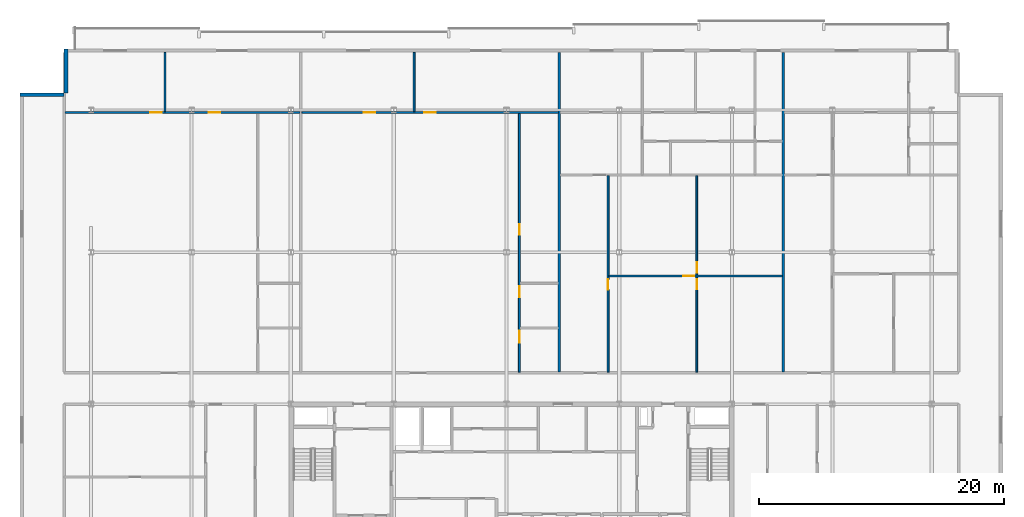
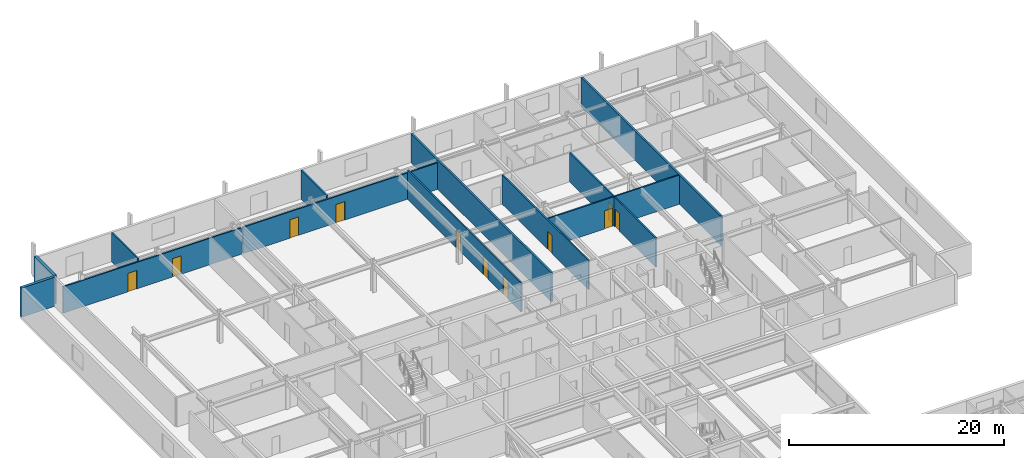
# One storey, part 27 of 36: 12 walls, 11 doors, 11 openings.
"""IFC4 building model written with IfcOpenShell, lengths in metres."""

from ifc_helpers import new_model, si_unit, direction, frame, frame_2d, origin, place, context, subcontext, project, spatial, rectangle, extrude, material, layer, layer_set, type_object, element, fill, save


model = new_model("IFC4")

# Units and contexts
model_context = context("Model", 3, precision=1e-05, world=origin(), true_north=direction((0.0, 1.0)))
body_context = subcontext(model_context, "Body", "Model", "MODEL_VIEW")
ifc_project = project(units=[si_unit("LENGTHUNIT", "METRE"), si_unit("AREAUNIT", "SQUARE_METRE"), si_unit("VOLUMEUNIT", "CUBIC_METRE"), si_unit("PLANEANGLEUNIT", "RADIAN"), si_unit("MASSUNIT", "GRAM", prefix="KILO")], contexts=[model_context])

# Site, building, storey
site_placement = place(None, origin())
site = spatial("IfcSite", under=ifc_project, at=site_placement, CompositionType="ELEMENT")
building_placement = place(site_placement, origin())
building = spatial("IfcBuilding", under=site, at=building_placement, Name="Korimba Cascade Residences", CompositionType="ELEMENT")
storey_placement = place(building_placement, frame((0.0, 0.0, 142.89990234375)))
storey = spatial("IfcBuildingStorey", under=building, at=storey_placement, Name="L41", CompositionType="ELEMENT", Elevation=142.89990234375)

# Walls
ifc_material_1 = material(Name="Precast concrete C40/50", Category="concrete")
ifc_layer_1 = layer(ifc_material_1, 0.300048828125)
ifc_layer_set_1 = layer_set([ifc_layer_1], Name="Precast concrete C40/50")
wall_type_1 = type_object("IfcWallType", Name="EW-STONE-300", PredefinedType="STANDARD", material=ifc_layer_set_1)
wall_1_placement = place(storey_placement, frame((57.75, 96.199951171875, 0.0), z_axis=(0.0, 0.0, 1.0), x_axis=(0.0, -1.0, 0.0)))
element("IfcWall", 1, at=wall_1_placement, inside=storey, type_object=wall_type_1, Name="L41 T1 Perimeter Stone Wall E07", PredefinedType="STANDARD", context=body_context, shape_type="SweptSolid", body=[
    extrude(rectangle(XDim=3.599853515625, YDim=0.300048828125, at=frame_2d((1.7998046875, 0.0))), origin(), (0.0, 0.0, 1.0), 3.31005859375),
])
wall_2_placement = place(storey_placement, frame((57.60009765625, 92.449951171875, 0.0), z_axis=(0.0, 0.0, 1.0), x_axis=(-1.0, 0.0, 0.0)))
element("IfcWall", 2, at=wall_2_placement, inside=storey, type_object=wall_type_1, Name="L41 T1 Perimeter Stone Wall E08", PredefinedType="STANDARD", context=body_context, shape_type="SweptSolid", body=[
    extrude(rectangle(XDim=3.60009765625, YDim=0.300048828125, at=frame_2d((1.800048828125, 0.0))), origin(), (0.0, 0.0, 1.0), 3.31005859375),
])
ifc_layer_2 = layer(ifc_material_1, 0.199951171875)
ifc_layer_set_2 = layer_set([ifc_layer_2], Name="Precast concrete C40/50")
wall_type_2 = type_object("IfcWallType", Name="WAL-IT-200", PredefinedType="PARTITIONING", material=ifc_layer_set_2)
for number, where, z_axis, x_axis, name in (
    (3, (98.021484375, 69.830078125, 0.0), (0.0, 0.0, 1.0), (0.0, 1.0, 0.0), "L41 Partition Wall WAL-L41-T1-DEM-2"),
    (4, (116.292724609375, 69.830078125, 0.0), (0.0, 0.0, 1.0), (0.0, 1.0, 0.0), "L41 Partition Wall WAL-L41-T1-DEM-3"),
):
    element("IfcWall", number, at=place(storey_placement, frame(where, z_axis=z_axis, x_axis=x_axis)), inside=storey, type_object=wall_type_2, Name=name, PredefinedType="PARTITIONING", context=body_context, shape_type="SweptSolid", body=[
        extrude(rectangle(XDim=26.06982421875, YDim=0.199951171875, at=frame_2d((13.034912109375, 0.0))), origin(), (0.0, 0.0, 1.0), 3.31005859375),
    ])
ifc_material_2 = material(Name="Insulated Acoustic Stud Partition", Category="gypsum")
ifc_layer_3 = layer(ifc_material_2, 0.14990234375)
ifc_layer_set_3 = layer_set([ifc_layer_3], Name="Insulated Acoustic Stud Partition")
wall_type_3 = type_object("IfcWallType", Name="WAL-PART-150", PredefinedType="PARTITIONING", material=ifc_layer_set_3)
wall_3_placement = place(storey_placement, frame((65.837158203125, 91.080078125, 0.0), z_axis=(0.0, 0.0, 1.0), x_axis=(0.0, 1.0, 0.0)))
element("IfcWall", 5, at=wall_3_placement, inside=storey, type_object=wall_type_3, Name="L41 Partition Wall WAL-L41-T1-U01-OUTV", PredefinedType="PARTITIONING", context=body_context, shape_type="SweptSolid", body=[
    extrude(rectangle(XDim=4.81982421875, YDim=0.14990234375, at=frame_2d((2.409912109375, 0.0))), origin(), (0.0, 0.0, 1.0), 3.31005859375),
])

# Wall, openings, doors
wall_4_placement = place(storey_placement, frame((57.679931640625, 91.0, 0.0), z_axis=(0.0, 0.0, 1.0), x_axis=(1.0, 0.0, 0.0)))
wall_4 = element("IfcWall", 6, at=wall_4_placement, inside=storey, type_object=wall_type_3, Name="L41 Partition Wall WAL-L41-T1-U01-HZ", PredefinedType="PARTITIONING", context=body_context, shape_type="SweptSolid", body=[
    extrude(rectangle(XDim=19.154296875, YDim=0.14990234375, at=frame_2d((9.5771484375, 0.0))), origin(), (0.0, 0.0, 1.0), 3.00341796875),
])
opening_1_placement = place(wall_4_placement, frame((6.967041015625, 0.0, 0.0)))
opening_1 = element("IfcOpeningElement", 7, at=opening_1_placement, cuts=wall_4, Name="Opening D-IN0", PredefinedType="OPENING", context=body_context, shape_type="SweptSolid", body=[
    extrude(rectangle(XDim=0.93994140625, YDim=2.10009765625, at=frame_2d((0.469970703125, 1.050048828125))), frame((0.0, 0.0849609375, 0.0), z_axis=(0.0, -1.0, 0.0), x_axis=(1.0, 0.0, 0.0)), (0.0, 0.0, 1.0), 0.169921875),
])
opening_2_placement = place(wall_4_placement, frame((11.72119140625, 0.0, 0.0)))
opening_2 = element("IfcOpeningElement", 8, at=opening_2_placement, cuts=wall_4, Name="Opening D-IN0", PredefinedType="OPENING", context=body_context, shape_type="SweptSolid", body=[
    extrude(rectangle(XDim=0.93994140625, YDim=2.10009765625, at=frame_2d((0.469970703125, 1.050048828125))), frame((0.0, 0.0849609375, 0.0), z_axis=(0.0, -1.0, 0.0), x_axis=(1.0, 0.0, 0.0)), (0.0, 0.0, 1.0), 0.169921875),
])
ifc_material_3 = material(Name="Acoustic Timber Living Archway Door", Category="wood")
door_type_1 = type_object("IfcDoorType", Name="DR-INT-950", OperationType="NOTDEFINED", PredefinedType="DOOR", material=ifc_material_3)
door_1_placement = place(opening_1_placement, origin())
door_1 = element("IfcDoor", 9, at=door_1_placement, inside=storey, type_object=door_type_1, Name="L41-T1-U01 Resident Boardroom Door", OperationType="SINGLE_SWING_RIGHT", OverallHeight=2.10009765625, OverallWidth=0.93994140625, PredefinedType="DOOR", context=body_context, shape_type="SweptSolid", body=[
    extrude(rectangle(XDim=0.93994140625, YDim=2.10009765625, at=frame_2d((0.469970703125, 1.050048828125))), frame((0.0, 0.02490234375, 0.0), z_axis=(0.0, -1.0, 0.0), x_axis=(1.0, 0.0, 0.0)), (0.0, 0.0, 1.0), 0.050048828125),
])
fill(opening_1, door_1)
door_2_placement = place(opening_2_placement, origin())
door_2 = element("IfcDoor", 10, at=door_2_placement, inside=storey, type_object=door_type_1, Name="L41-T1-U01 Executive Seminar Room Door", OperationType="SINGLE_SWING_LEFT", OverallHeight=2.10009765625, OverallWidth=0.93994140625, PredefinedType="DOOR", context=body_context, shape_type="SweptSolid", body=[
    extrude(rectangle(XDim=0.93994140625, YDim=2.10009765625, at=frame_2d((0.469970703125, 1.050048828125))), frame((0.0, 0.02490234375, 0.0), z_axis=(0.0, -1.0, 0.0), x_axis=(1.0, 0.0, 0.0)), (0.0, 0.0, 1.0), 0.050048828125),
])
fill(opening_2, door_2)

wall_5_placement = place(storey_placement, frame((94.75146484375, 69.81005859375, 0.0), z_axis=(0.0, 0.0, 1.0), x_axis=(0.0, 1.0, 0.0)))
wall_5 = element("IfcWall", 11, at=wall_5_placement, inside=storey, type_object=wall_type_3, Name="L41 Partition Wall WAL-L41-T1-U02-WCV", PredefinedType="PARTITIONING", context=body_context, shape_type="SweptSolid", body=[
    extrude(rectangle(XDim=21.1298828125, YDim=0.14990234375, at=frame_2d((10.56494140625, 0.0))), origin(), (0.0, 0.0, 1.0), 3.31005859375),
])
opening_3_placement = place(wall_5_placement, frame((2.406005859375, 0.0, 0.0)))
opening_3 = element("IfcOpeningElement", 12, at=opening_3_placement, cuts=wall_5, Name="Opening D-AC1", PredefinedType="OPENING", context=body_context, shape_type="SweptSolid", body=[
    extrude(rectangle(XDim=0.9599609375, YDim=2.10009765625, at=frame_2d((0.47998046875, 1.050048828125))), frame((0.0, 0.0849609375, 0.0), z_axis=(0.0, -1.0, 0.0), x_axis=(1.0, 0.0, 0.0)), (0.0, 0.0, 1.0), 0.169921875),
])
opening_4_placement = place(wall_5_placement, frame((6.132568359375, 0.0, 0.0)))
opening_4 = element("IfcOpeningElement", 13, at=opening_4_placement, cuts=wall_5, Name="Opening D-IN2", PredefinedType="OPENING", context=body_context, shape_type="SweptSolid", body=[
    extrude(rectangle(XDim=0.8798828125, YDim=2.06005859375, at=frame_2d((0.43994140625, 1.030029296875))), frame((0.0, 0.0849609375, 0.0), z_axis=(0.0, -1.0, 0.0), x_axis=(1.0, 0.0, 0.0)), (0.0, 0.0, 1.0), 0.169921875),
])
opening_5_placement = place(wall_5_placement, frame((11.23095703125, 0.0, 0.0)))
opening_5 = element("IfcOpeningElement", 14, at=opening_5_placement, cuts=wall_5, Name="Opening D-BT1", PredefinedType="OPENING", context=body_context, shape_type="SweptSolid", body=[
    extrude(rectangle(XDim=0.840087890625, YDim=2.0400390625, at=frame_2d((0.419921875, 1.02001953125))), frame((0.0, 0.0849609375, 0.0), z_axis=(0.0, -1.0, 0.0), x_axis=(1.0, 0.0, 0.0)), (0.0, 0.0, 1.0), 0.169921875),
])
ifc_material_4 = material(Name="Accessible Acoustic Timber WC Door", Category="wood")
door_type_2 = type_object("IfcDoorType", Name="DR-ACC-950", OperationType="NOTDEFINED", PredefinedType="DOOR", material=ifc_material_4)
door_3_placement = place(opening_3_placement, origin())
door_3 = element("IfcDoor", 15, at=door_3_placement, inside=storey, type_object=door_type_2, Name="L41-T1-U02 Accessible WC Door", OperationType="SINGLE_SWING_RIGHT", OverallHeight=2.10009765625, OverallWidth=0.9599609375, PredefinedType="DOOR", context=body_context, shape_type="SweptSolid", body=[
    extrude(rectangle(XDim=0.9599609375, YDim=2.10009765625, at=frame_2d((0.47998046875, 1.050048828125))), frame((0.0, 0.02490234375, 0.0), z_axis=(0.0, -1.0, 0.0), x_axis=(1.0, 0.0, 0.0)), (0.0, 0.0, 1.0), 0.050048828125),
])
fill(opening_3, door_3)
ifc_material_5 = material(Name="Moisture-Resistant Bathroom Timber Door", Category="wood")
door_type_3 = type_object("IfcDoorType", Name="DR-INT-850", OperationType="NOTDEFINED", PredefinedType="DOOR", material=ifc_material_5)
door_4_placement = place(opening_5_placement, origin())
door_4 = element("IfcDoor", 16, at=door_4_placement, inside=storey, type_object=door_type_3, Name="L41-T1-U02 Suite Store Door", OperationType="SINGLE_SWING_RIGHT", OverallHeight=2.0400390625, OverallWidth=0.840087890625, PredefinedType="DOOR", context=body_context, shape_type="SweptSolid", body=[
    extrude(rectangle(XDim=0.840087890625, YDim=2.0400390625, at=frame_2d((0.419921875, 1.02001953125))), frame((0.0, 0.02490234375, 0.0), z_axis=(0.0, -1.0, 0.0), x_axis=(1.0, 0.0, 0.0)), (0.0, 0.0, 1.0), 0.050048828125),
])
fill(opening_5, door_4)
ifc_material_6 = material(Name="Acoustic Timber Bedroom Door", Category="wood")
door_type_4 = type_object("IfcDoorType", Name="DR-INT-880", OperationType="NOTDEFINED", PredefinedType="DOOR", material=ifc_material_6)
door_5_placement = place(opening_4_placement, origin())
door_5 = element("IfcDoor", 17, at=door_5_placement, inside=storey, type_object=door_type_4, Name="L41-T1-U02 Restroom WC Door", OperationType="SINGLE_SWING_LEFT", OverallHeight=2.06005859375, OverallWidth=0.8798828125, PredefinedType="DOOR", context=body_context, shape_type="SweptSolid", body=[
    extrude(rectangle(XDim=0.8798828125, YDim=2.06005859375, at=frame_2d((0.43994140625, 1.030029296875))), frame((0.0, 0.02490234375, 0.0), z_axis=(0.0, -1.0, 0.0), x_axis=(1.0, 0.0, 0.0)), (0.0, 0.0, 1.0), 0.050048828125),
])
fill(opening_4, door_5)

# Wall
wall_6_placement = place(storey_placement, frame((86.162841796875, 91.080078125, 0.0), z_axis=(0.0, 0.0, 1.0), x_axis=(0.0, 1.0, 0.0)))
element("IfcWall", 18, at=wall_6_placement, inside=storey, type_object=wall_type_3, Name="L41 Partition Wall WAL-L41-T1-U02-OUTV", PredefinedType="PARTITIONING", context=body_context, shape_type="SweptSolid", body=[
    extrude(rectangle(XDim=4.81982421875, YDim=0.14990234375, at=frame_2d((2.409912109375, 0.0))), origin(), (0.0, 0.0, 1.0), 3.31005859375),
])

# Wall, openings, doors
wall_7_placement = place(storey_placement, frame((76.994384765625, 91.0, 0.0), z_axis=(0.0, 0.0, 1.0), x_axis=(1.0, 0.0, 0.0)))
wall_7 = element("IfcWall", 19, at=wall_7_placement, inside=storey, type_object=wall_type_3, Name="L41 Partition Wall WAL-L41-T1-U02-HZ", PredefinedType="PARTITIONING", context=body_context, shape_type="SweptSolid", body=[
    extrude(rectangle(XDim=20.947021484375, YDim=0.14990234375, at=frame_2d((10.4736328125, 0.0))), origin(), (0.0, 0.0, 1.0), 3.00341796875),
])
opening_6_placement = place(wall_7_placement, frame((5.041748046875, 0.0, 0.0)))
opening_6 = element("IfcOpeningElement", 20, at=opening_6_placement, cuts=wall_7, Name="Opening D-IN0", PredefinedType="OPENING", context=body_context, shape_type="SweptSolid", body=[
    extrude(rectangle(XDim=0.93994140625, YDim=2.10009765625, at=frame_2d((0.469970703125, 1.050048828125))), frame((0.0, 0.0849609375, 0.0), z_axis=(0.0, -1.0, 0.0), x_axis=(1.0, 0.0, 0.0)), (0.0, 0.0, 1.0), 0.169921875),
])
opening_7_placement = place(wall_7_placement, frame((10.003662109375, 0.0, 0.0)))
opening_7 = element("IfcOpeningElement", 21, at=opening_7_placement, cuts=wall_7, Name="Opening D-IN0", PredefinedType="OPENING", context=body_context, shape_type="SweptSolid", body=[
    extrude(rectangle(XDim=0.93994140625, YDim=2.10009765625, at=frame_2d((0.469970703125, 1.050048828125))), frame((0.0, 0.0849609375, 0.0), z_axis=(0.0, -1.0, 0.0), x_axis=(1.0, 0.0, 0.0)), (0.0, 0.0, 1.0), 0.169921875),
])
door_6_placement = place(opening_6_placement, origin())
door_6 = element("IfcDoor", 22, at=door_6_placement, inside=storey, type_object=door_type_1, Name="L41-T1-U02 Fitness Pilates Gym Door", OperationType="SINGLE_SWING_LEFT", OverallHeight=2.10009765625, OverallWidth=0.93994140625, PredefinedType="DOOR", context=body_context, shape_type="SweptSolid", body=[
    extrude(rectangle(XDim=0.93994140625, YDim=2.10009765625, at=frame_2d((0.469970703125, 1.050048828125))), frame((0.0, 0.02490234375, 0.0), z_axis=(0.0, -1.0, 0.0), x_axis=(1.0, 0.0, 0.0)), (0.0, 0.0, 1.0), 0.050048828125),
])
fill(opening_6, door_6)
door_7_placement = place(opening_7_placement, origin())
door_7 = element("IfcDoor", 23, at=door_7_placement, inside=storey, type_object=door_type_1, Name="L41-T1-U02 Private Screening Cinema Door", OperationType="SINGLE_SWING_RIGHT", OverallHeight=2.10009765625, OverallWidth=0.93994140625, PredefinedType="DOOR", context=body_context, shape_type="SweptSolid", body=[
    extrude(rectangle(XDim=0.93994140625, YDim=2.10009765625, at=frame_2d((0.469970703125, 1.050048828125))), frame((0.0, 0.02490234375, 0.0), z_axis=(0.0, -1.0, 0.0), x_axis=(1.0, 0.0, 0.0)), (0.0, 0.0, 1.0), 0.050048828125),
])
fill(opening_7, door_7)

wall_8_placement = place(storey_placement, frame((109.232177734375, 69.81005859375, 0.0), z_axis=(0.0, 0.0, 1.0), x_axis=(0.0, 1.0, 0.0)))
wall_8 = element("IfcWall", 24, at=wall_8_placement, inside=storey, type_object=wall_type_3, Name="L41 Partition Wall WAL-L41-T1-U03-FMV", PredefinedType="PARTITIONING", context=body_context, shape_type="SweptSolid", body=[
    extrude(rectangle(XDim=16.050048828125, YDim=0.14990234375, at=frame_2d((8.02490234375, 0.0))), origin(), (0.0, 0.0, 1.0), 3.31005859375),
])
opening_8_placement = place(wall_8_placement, frame((6.7548828125, 0.0, 0.0)))
opening_8 = element("IfcOpeningElement", 25, at=opening_8_placement, cuts=wall_8, Name="Opening D-BT1", PredefinedType="OPENING", context=body_context, shape_type="SweptSolid", body=[
    extrude(rectangle(XDim=0.840087890625, YDim=2.0400390625, at=frame_2d((0.419921875, 1.02001953125))), frame((0.0, 0.0849609375, 0.0), z_axis=(0.0, -1.0, 0.0), x_axis=(1.0, 0.0, 0.0)), (0.0, 0.0, 1.0), 0.169921875),
])
opening_9_placement = place(wall_8_placement, frame((8.094970703125, 0.0, 0.0)))
opening_9 = element("IfcOpeningElement", 26, at=opening_9_placement, cuts=wall_8, Name="Opening D-IN2", PredefinedType="OPENING", context=body_context, shape_type="SweptSolid", body=[
    extrude(rectangle(XDim=0.8798828125, YDim=2.06005859375, at=frame_2d((0.43994140625, 1.030029296875))), frame((0.0, 0.0849609375, 0.0), z_axis=(0.0, -1.0, 0.0), x_axis=(1.0, 0.0, 0.0)), (0.0, 0.0, 1.0), 0.169921875),
])
door_8_placement = place(opening_8_placement, origin())
door_8 = element("IfcDoor", 27, at=door_8_placement, inside=storey, type_object=door_type_3, Name="L41-T1-U03 Wardrobe Door", OperationType="SINGLE_SWING_LEFT", OverallHeight=2.0400390625, OverallWidth=0.840087890625, PredefinedType="DOOR", context=body_context, shape_type="SweptSolid", body=[
    extrude(rectangle(XDim=0.840087890625, YDim=2.0400390625, at=frame_2d((0.419921875, 1.02001953125))), frame((0.0, 0.02490234375, 0.0), z_axis=(0.0, -1.0, 0.0), x_axis=(1.0, 0.0, 0.0)), (0.0, 0.0, 1.0), 0.050048828125),
])
fill(opening_8, door_8)
door_9_placement = place(opening_9_placement, origin())
door_9 = element("IfcDoor", 28, at=door_9_placement, inside=storey, type_object=door_type_4, Name="L41-T1-U03 Music Lounge Door", OperationType="SINGLE_SWING_RIGHT", OverallHeight=2.06005859375, OverallWidth=0.8798828125, PredefinedType="DOOR", context=body_context, shape_type="SweptSolid", body=[
    extrude(rectangle(XDim=0.8798828125, YDim=2.06005859375, at=frame_2d((0.43994140625, 1.030029296875))), frame((0.0, 0.02490234375, 0.0), z_axis=(0.0, -1.0, 0.0), x_axis=(1.0, 0.0, 0.0)), (0.0, 0.0, 1.0), 0.050048828125),
])
fill(opening_9, door_9)

# Wall, opening, door
wall_9_placement = place(storey_placement, frame((102.051513671875, 77.655029296875, 0.0), z_axis=(0.0, 0.0, 1.0), x_axis=(1.0, 0.0, 0.0)))
wall_9 = element("IfcWall", 29, at=wall_9_placement, inside=storey, type_object=wall_type_3, Name="L41 Partition Wall WAL-L41-T1-U03-FMH", PredefinedType="PARTITIONING", context=body_context, shape_type="SweptSolid", body=[
    extrude(rectangle(XDim=14.161376953125, YDim=0.14990234375, at=frame_2d((7.08056640625, 0.0))), origin(), (0.0, 0.0, 1.0), 3.31005859375),
])
opening_10_placement = place(wall_9_placement, frame((6.080810546875, 0.0, 0.0)))
opening_10 = element("IfcOpeningElement", 30, at=opening_10_placement, cuts=wall_9, Name="Opening D-IN2", PredefinedType="OPENING", context=body_context, shape_type="SweptSolid", body=[
    extrude(rectangle(XDim=0.8798828125, YDim=2.06005859375, at=frame_2d((0.43994140625, 1.030029296875))), frame((0.0, 0.0849609375, 0.0), z_axis=(0.0, -1.0, 0.0), x_axis=(1.0, 0.0, 0.0)), (0.0, 0.0, 1.0), 0.169921875),
])
door_10_placement = place(opening_10_placement, origin())
door_10 = element("IfcDoor", 31, at=door_10_placement, inside=storey, type_object=door_type_4, Name="L41-T1-U03 Library Salon Door", OperationType="SINGLE_SWING_LEFT", OverallHeight=2.06005859375, OverallWidth=0.8798828125, PredefinedType="DOOR", context=body_context, shape_type="SweptSolid", body=[
    extrude(rectangle(XDim=0.8798828125, YDim=2.06005859375, at=frame_2d((0.43994140625, 1.030029296875))), frame((0.0, 0.02490234375, 0.0), z_axis=(0.0, -1.0, 0.0), x_axis=(1.0, 0.0, 0.0)), (0.0, 0.0, 1.0), 0.050048828125),
])
fill(opening_10, door_10)

wall_10_placement = place(storey_placement, frame((101.991455078125, 69.81005859375, 0.0), z_axis=(0.0, 0.0, 1.0), x_axis=(0.0, 1.0, 0.0)))
wall_10 = element("IfcWall", 32, at=wall_10_placement, inside=storey, type_object=wall_type_3, Name="L41 Partition Wall WAL-L41-T1-U03-FV", PredefinedType="PARTITIONING", context=body_context, shape_type="SweptSolid", body=[
    extrude(rectangle(XDim=16.050048828125, YDim=0.14990234375, at=frame_2d((8.02490234375, 0.0))), origin(), (0.0, 0.0, 1.0), 3.31005859375),
])
opening_11_placement = place(wall_10_placement, frame((6.715087890625, 0.0, 0.0)))
opening_11 = element("IfcOpeningElement", 33, at=opening_11_placement, cuts=wall_10, Name="Opening D-IN2", PredefinedType="OPENING", context=body_context, shape_type="SweptSolid", body=[
    extrude(rectangle(XDim=0.8798828125, YDim=2.06005859375, at=frame_2d((0.43994140625, 1.030029296875))), frame((0.0, 0.0849609375, 0.0), z_axis=(0.0, -1.0, 0.0), x_axis=(1.0, 0.0, 0.0)), (0.0, 0.0, 1.0), 0.169921875),
])
door_11_placement = place(opening_11_placement, origin())
door_11 = element("IfcDoor", 34, at=door_11_placement, inside=storey, type_object=door_type_4, Name="L41-T1-U03 Media Lounge Door", OperationType="SINGLE_SWING_RIGHT", OverallHeight=2.06005859375, OverallWidth=0.8798828125, PredefinedType="DOOR", context=body_context, shape_type="SweptSolid", body=[
    extrude(rectangle(XDim=0.8798828125, YDim=2.06005859375, at=frame_2d((0.43994140625, 1.030029296875))), frame((0.0, 0.02490234375, 0.0), z_axis=(0.0, -1.0, 0.0), x_axis=(1.0, 0.0, 0.0)), (0.0, 0.0, 1.0), 0.050048828125),
])
fill(opening_11, door_11)

save(model, "model.ifc")
